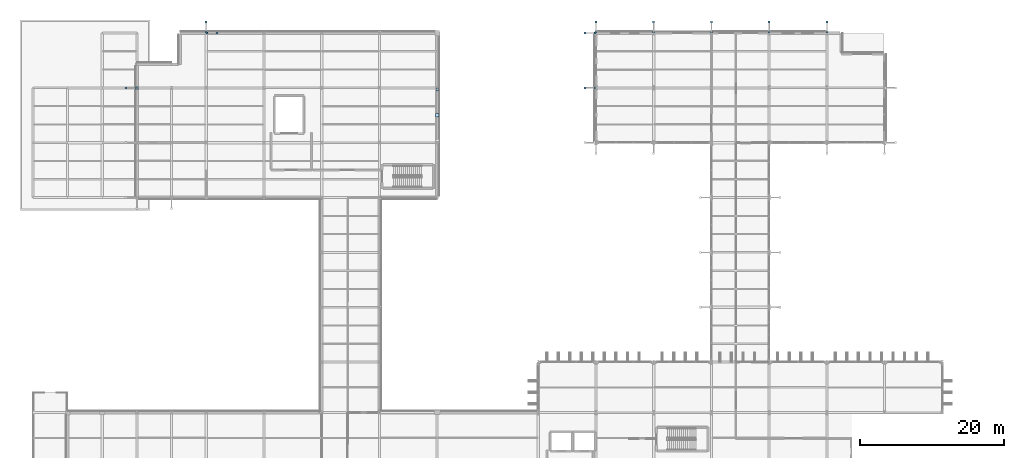
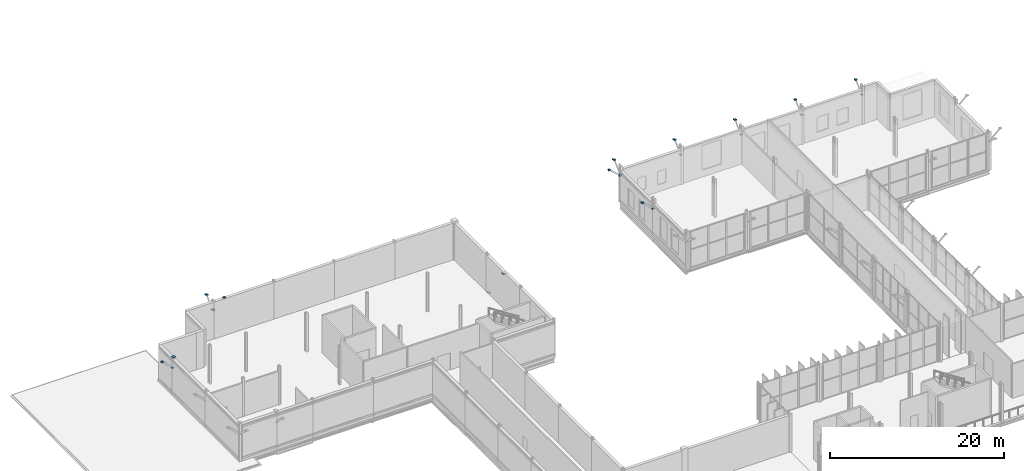
# One storey, part 113 of 147: 23 plates.
"""IFC4 building model written with IfcOpenShell, lengths in metres."""

from ifc_helpers import new_model, si_unit, direction, frame, origin, origin_2d, place, context, subcontext, project, spatial, rectangle, extrude, material, layer, layer_set, type_object, element, save


model = new_model("IFC4")

# Units and contexts
model_context = context("Model", 3, precision=1e-05, world=origin(), true_north=direction((0.0, 1.0)))
body_context = subcontext(model_context, "Body", "Model", "MODEL_VIEW")
ifc_project = project(units=[si_unit("LENGTHUNIT", "METRE"), si_unit("AREAUNIT", "SQUARE_METRE"), si_unit("VOLUMEUNIT", "CUBIC_METRE"), si_unit("PLANEANGLEUNIT", "RADIAN"), si_unit("MASSUNIT", "GRAM", prefix="KILO")], contexts=[model_context])

# Site, building, storey
site_placement = place(None, origin())
site = spatial("IfcSite", under=ifc_project, at=site_placement, CompositionType="ELEMENT")
building_placement = place(site_placement, origin())
building = spatial("IfcBuilding", under=site, at=building_placement, Name="Vekula Escarpment Museum", CompositionType="ELEMENT")
storey_placement = place(building_placement, frame((0.0, 0.0, 7.800048828125)))
storey = spatial("IfcBuildingStorey", under=building, at=storey_placement, Name="L02", CompositionType="ELEMENT", Elevation=7.800048828125)

# Plates
ifc_material_1 = material(Name="Steel S355", Category="steel")
ifc_layer_1 = layer(ifc_material_1, 0.01611328125)
ifc_layer_set_1 = layer_set([ifc_layer_1], Name="Steel S355")
plate_type_1 = type_object("IfcPlateType", Name="PL-CAP-16", PredefinedType="SHEET", material=ifc_layer_set_1)
for number, where, z_axis, x_axis, name in (
    (1, (14.285400390625, 128.39990234375, 3.89404296875), (0.0, 0.0, 1.0), (1.0, 0.0, 0.0), "Hollow section end cap CP-16"),
    (2, (12.894775390625, 128.39990234375, 5.163818359375), (0.0, 0.0, 1.0), (1.0, 0.0, 0.0), "Hollow section end cap CP-16"),
    (3, (24.11474609375, 136.0, 3.89404296875), (0.0, 0.0, 1.0), (1.0, 0.0, 0.0), "Hollow section end cap CP-16"),
    (4, (25.50537109375, 136.0, 5.163818359375), (0.0, 0.0, 1.0), (1.0, 0.0, 0.0), "Hollow section end cap CP-16"),
    (5, (24.0, 136.11474609375, 3.89404296875), (0.0, 0.0, 1.0), (1.0, 0.0, 0.0), "Hollow section end cap CP-16"),
    (6, (24.0, 137.50537109375, 5.163818359375), (0.0, 0.0, 1.0), (1.0, 0.0, 0.0), "Hollow section end cap CP-16"),
    (7, (77.88525390625, 128.39990234375, 3.89404296875), (0.0, 0.0, 1.0), (1.0, 0.0, 0.0), "Hollow section end cap CP-16"),
    (8, (76.49462890625, 128.39990234375, 5.163818359375), (0.0, 0.0, 1.0), (1.0, 0.0, 0.0), "Hollow section end cap CP-16"),
    (9, (77.88525390625, 136.0, 3.89404296875), (0.0, 0.0, 1.0), (1.0, 0.0, 0.0), "Hollow section end cap CP-16"),
    (10, (76.49462890625, 136.0, 5.163818359375), (0.0, 0.0, 1.0), (1.0, 0.0, 0.0), "Hollow section end cap CP-16"),
    (11, (78.0, 136.11474609375, 3.89404296875), (0.0, 0.0, 1.0), (1.0, 0.0, 0.0), "Hollow section end cap CP-16"),
    (12, (78.0, 137.50537109375, 5.163818359375), (0.0, 0.0, 1.0), (1.0, 0.0, 0.0), "Hollow section end cap CP-16"),
    (13, (86.0, 136.11474609375, 3.89404296875), (0.0, 0.0, 1.0), (1.0, 0.0, 0.0), "Hollow section end cap CP-16"),
    (14, (86.0, 137.50537109375, 5.163818359375), (0.0, 0.0, 1.0), (1.0, 0.0, 0.0), "Hollow section end cap CP-16"),
    (15, (94.0, 136.11474609375, 3.89404296875), (0.0, 0.0, 1.0), (1.0, 0.0, 0.0), "Hollow section end cap CP-16"),
    (16, (94.0, 137.50537109375, 5.163818359375), (0.0, 0.0, 1.0), (1.0, 0.0, 0.0), "Hollow section end cap CP-16"),
    (17, (102.0, 136.11474609375, 3.89404296875), (0.0, 0.0, 1.0), (1.0, 0.0, 0.0), "Hollow section end cap CP-16"),
    (18, (102.0, 137.50537109375, 5.163818359375), (0.0, 0.0, 1.0), (1.0, 0.0, 0.0), "Hollow section end cap CP-16"),
    (19, (110.0, 136.11474609375, 3.89404296875), (0.0, 0.0, 1.0), (1.0, 0.0, 0.0), "Hollow section end cap CP-16"),
    (20, (110.0, 137.50537109375, 5.163818359375), (0.0, 0.0, 1.0), (1.0, 0.0, 0.0), "Hollow section end cap CP-16"),
):
    element("IfcPlate", number, at=place(storey_placement, frame(where, z_axis=z_axis, x_axis=x_axis)), inside=storey, type_object=plate_type_1, Name=name, PredefinedType="SHEET", context=body_context, shape_type="SweptSolid", body=[
        extrude(rectangle(XDim=0.280029296875, YDim=0.280029296875, at=origin_2d()), origin(), (0.0, 0.0, 1.0), 0.10205078125),
    ])
ifc_material_2 = material(Name="Steel S355", Category="steel")
ifc_layer_2 = layer(ifc_material_2, 0.02001953125)
ifc_layer_set_2 = layer_set([ifc_layer_2], Name="Steel S355")
plate_type_2 = type_object("IfcPlateType", Name="PL-CAP-20", PredefinedType="SHEET", material=ifc_layer_set_2)
plate_1_placement = place(storey_placement, frame((14.39990234375, 128.39990234375, 5.39794921875), z_axis=(0.0, 0.0, 1.0), x_axis=(1.0, 0.0, 0.0)))
element("IfcPlate", 21, at=plate_1_placement, inside=storey, type_object=plate_type_2, Name="Hollow section end cap CP-20", PredefinedType="SHEET", context=body_context, shape_type="SweptSolid", body=[
    extrude(rectangle(XDim=0.3955078125, YDim=0.3955078125, at=origin_2d()), origin(), (0.0, 0.0, 1.0), 0.02001953125),
])
ifc_material_3 = material(Name="Steel S355", Category="steel")
ifc_layer_3 = layer(ifc_material_3, 0.02392578125)
ifc_layer_set_3 = layer_set([ifc_layer_3], Name="Steel S355")
plate_type_3 = type_object("IfcPlateType", Name="PL-CAP-24", PredefinedType="SHEET", material=ifc_layer_set_3)
plate_2_placement = place(storey_placement, frame((56.0, 128.156494140625, -0.035888671875), z_axis=(0.0, 0.0, 1.0), x_axis=(1.0, 0.0, 0.0)))
element("IfcPlate", 22, at=plate_2_placement, inside=storey, type_object=plate_type_3, Name="Hollow section end cap CP-24", PredefinedType="SHEET", context=body_context, shape_type="SweptSolid", body=[
    extrude(rectangle(XDim=0.3798828125, YDim=0.3798828125, at=origin_2d()), origin(), (0.0, 0.0, 1.0), 0.09423828125),
])
ifc_material_4 = material(Name="Steel S355", Category="steel")
ifc_layer_4 = layer(ifc_material_4, 0.0400390625)
ifc_layer_set_4 = layer_set([ifc_layer_4], Name="Steel S355")
plate_type_4 = type_object("IfcPlateType", Name="PL-CAP-40", PredefinedType="SHEET", material=ifc_layer_set_4)
plate_3_placement = place(storey_placement, frame((56.0, 124.60009765625, 4.7978515625), z_axis=(0.0, 0.0, 1.0), x_axis=(1.0, 0.0, 0.0)))
element("IfcPlate", 23, at=plate_3_placement, inside=storey, type_object=plate_type_4, Name="Hollow section end cap GP-40", PredefinedType="SHEET", context=body_context, shape_type="SweptSolid", body=[
    extrude(rectangle(XDim=0.4599609375, YDim=0.4599609375, at=origin_2d()), origin(), (0.0, 0.0, 1.0), 0.0400390625),
])

save(model, "model.ifc")
